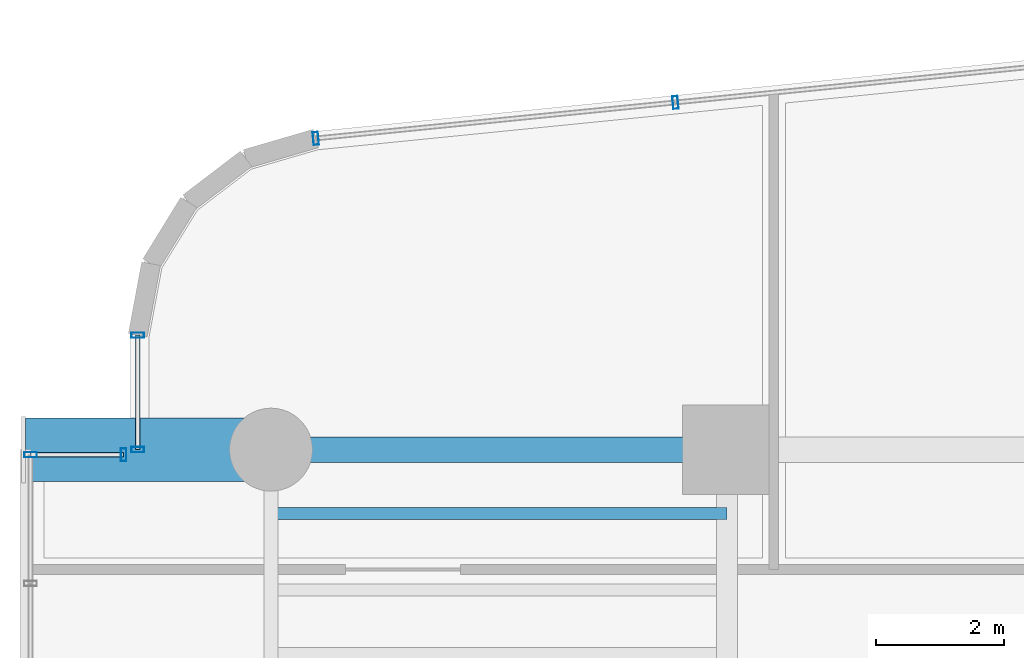
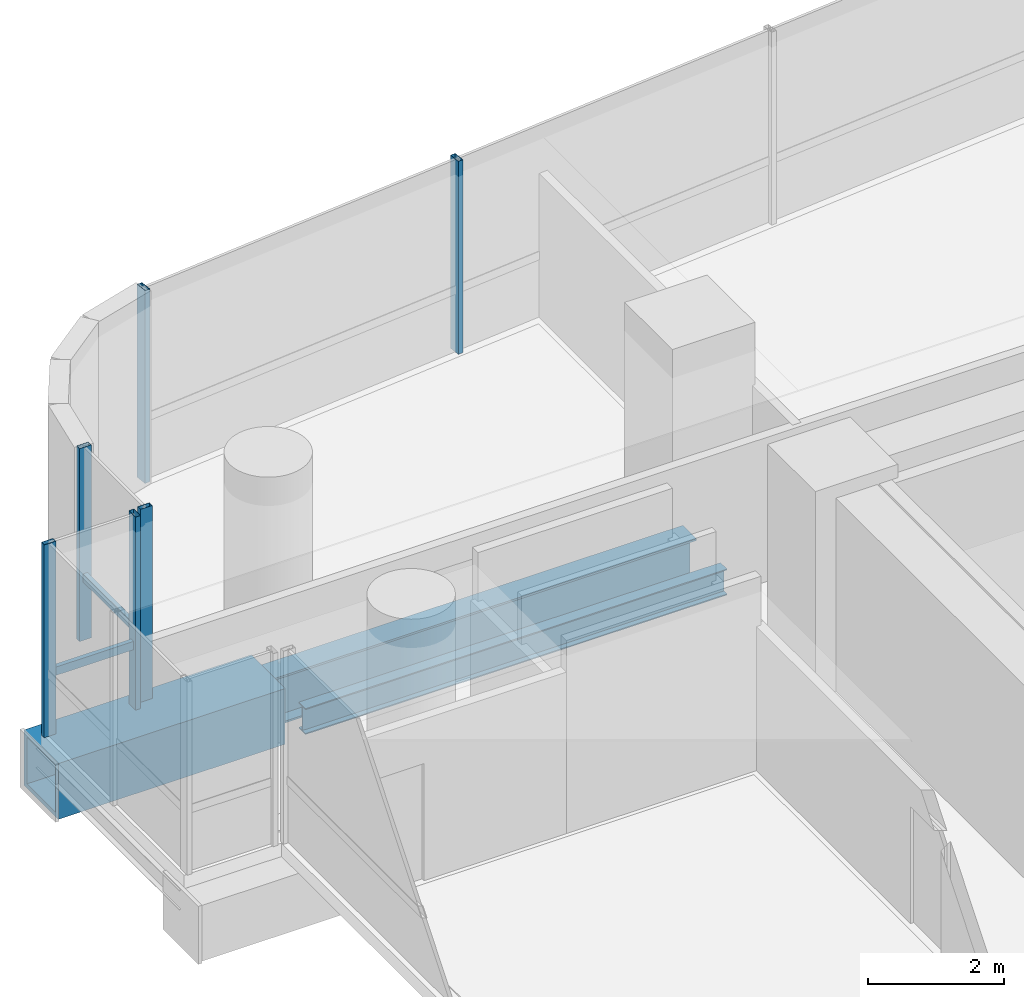
# One storey, part 19 of 40: 8 members, 3 beams, 4 elements without a shape of their own.
"""IFC4 building model written with IfcOpenShell, lengths in metres."""

from ifc_helpers import new_model, si_unit, direction, frame, origin, origin_2d, place, context, subcontext, project, spatial, hollow_rectangle, i_section, extrude, source, transform, mapped, material, material_profile, profile_set, type_object, element, aggregate, save


model = new_model("IFC4")

# Units and contexts
model_context = context("Model", 3, precision=1e-05, world=origin(), true_north=direction((0.0, 1.0)))
body_context = subcontext(model_context, "Body", "Model", "MODEL_VIEW")
ifc_project = project(units=[si_unit("LENGTHUNIT", "METRE"), si_unit("AREAUNIT", "SQUARE_METRE"), si_unit("VOLUMEUNIT", "CUBIC_METRE"), si_unit("PLANEANGLEUNIT", "RADIAN"), si_unit("MASSUNIT", "GRAM", prefix="KILO")], contexts=[model_context])

# Site, building, storey
site_placement = place(None, origin())
site = spatial("IfcSite", under=ifc_project, at=site_placement, CompositionType="ELEMENT")
building_placement = place(site_placement, origin())
building = spatial("IfcBuilding", under=site, at=building_placement, Name="Valdorenza Pilgrim Sanctuary Tower", CompositionType="ELEMENT")
storey_placement = place(building_placement, frame((0.0, 0.0, 48.199951171875)))
storey = spatial("IfcBuildingStorey", under=building, at=storey_placement, Name="L11", CompositionType="ELEMENT", Elevation=48.199951171875)

# Beams
ifc_material_1 = material(Name="Steel ASTM A992 Grade 50", Category="steel")
ifc_material_profile_1 = material_profile(ifc_material_1, i_section(OverallWidth=0.193115234375, OverallDepth=0.466064453125, WebThickness=0.011474609375, FlangeThickness=0.01904296875, at=origin_2d()), Name="W18X65")
ifc_profile_set_1 = profile_set([ifc_material_profile_1], Name="Steel ASTM A992 Grade 50")
beam_type_1 = type_object("IfcBeamType", Name="STR-BM-JST-W18A", PredefinedType="JOIST", material=ifc_profile_set_1)
shared_shape_1 = source(origin(), body_context, "Body", "SweptSolid", [
    extrude(i_section(OverallWidth=0.193115234375, OverallDepth=0.466064453125, WebThickness=0.011474609375, FlangeThickness=0.01904296875, at=origin_2d()), origin(), (0.0, 0.0, 1.0), 7.150146484375),
])
beam_1_placement = place(storey_placement, frame((-29.800048828125, 13.800048828125, -0.472900390625), z_axis=(1.0, 0.0, 0.0), x_axis=(0.0, 1.0, 0.0)))
element("IfcBeam", 1, at=beam_1_placement, inside=storey, type_object=beam_type_1, Name="L11 Composite Floor Joist JST-WA-26", PredefinedType="JOIST", context=body_context, shape_type="MappedRepresentation", body=[
    mapped(shared_shape_1, transform((0.0, 0.0, 0.0), x_axis=(1.0, 0.0, 0.0), y_axis=(0.0, 1.0, 0.0), z_axis=(0.0, 0.0, 1.0), scale=1.0)),
])
ifc_material_2 = material(Name="Steel ASTM A572 Grade 42", Category="steel")
ifc_material_profile_2 = material_profile(ifc_material_2, hollow_rectangle(XDim=1.0, YDim=1.0, WallThickness=0.080078125, at=origin_2d()), Name="BOX 1000x1000x80")
ifc_profile_set_2 = profile_set([ifc_material_profile_2], Name="Steel ASTM A572 Grade 42")
beam_type_2 = type_object("IfcBeamType", Name="STR-BM-PROW-CANT", PredefinedType="BEAM", material=ifc_profile_set_2)
shared_shape_2 = source(origin(), body_context, "Body", "SweptSolid", [
    extrude(hollow_rectangle(XDim=1.0, YDim=1.0, WallThickness=0.080078125, at=origin_2d()), origin(), (0.0, 0.0, 1.0), 3.849853515625),
])
beam_2_placement = place(storey_placement, frame((-29.800048828125, 14.800048828125, -0.739990234375), z_axis=(-1.0, 0.0, 0.0), x_axis=(0.0, -1.0, 0.0)))
element("IfcBeam", 2, at=beam_2_placement, inside=storey, type_object=beam_type_2, Name="L11 Glass Box Cantilever Beam BOX-WA-L11-CT-N", PredefinedType="BEAM", context=body_context, shape_type="MappedRepresentation", body=[
    mapped(shared_shape_2, transform((0.0, 0.0, 0.0), x_axis=(1.0, 0.0, 0.0), y_axis=(0.0, 1.0, 0.0), z_axis=(0.0, 0.0, 1.0), scale=1.0)),
])
ifc_material_profile_3 = material_profile(ifc_material_1, i_section(OverallWidth=0.39990234375, OverallDepth=0.862060546875, WebThickness=0.019775390625, FlangeThickness=0.032470703125, at=origin_2d()), Name="W33X221")
ifc_profile_set_3 = profile_set([ifc_material_profile_3], Name="Steel ASTM A992 Grade 50")
beam_type_3 = type_object("IfcBeamType", Name="STR-BM-GRD-W33", PredefinedType="BEAM", material=ifc_profile_set_3)
shared_shape_3 = source(origin(), body_context, "Body", "SweptSolid", [
    extrude(i_section(OverallWidth=0.39990234375, OverallDepth=0.862060546875, WebThickness=0.019775390625, FlangeThickness=0.032470703125, at=origin_2d()), origin(), (0.0, 0.0, 1.0), 7.150146484375),
])
beam_3_placement = place(storey_placement, frame((-29.800048828125, 14.800048828125, -0.6708984375), z_axis=(1.0, 0.0, 0.0), x_axis=(0.0, 1.0, 0.0)))
element("IfcBeam", 3, at=beam_3_placement, inside=storey, type_object=beam_type_3, Name="L11 Floor Girder WA-XW-N2", PredefinedType="BEAM", context=body_context, shape_type="MappedRepresentation", body=[
    mapped(shared_shape_3, transform((0.0, 0.0, 0.0), x_axis=(1.0, 0.0, 0.0), y_axis=(0.0, 1.0, 0.0), z_axis=(0.0, 0.0, 1.0), scale=1.0)),
])

# Curtain wall, members
ifc_material_3 = material(Name="Curtain-wall IGU glazing", Category="glass")
curtain_wall_type = type_object("IfcCurtainWallType", Name="CW-SYS-02", PredefinedType="NOTDEFINED", material=ifc_material_3)
curtain_wall_1_placement = place(storey_placement, origin())
curtain_wall_1 = element("IfcCurtainWall", 4, at=curtain_wall_1_placement, inside=storey, type_object=curtain_wall_type, Name="L11 Curtain Wall CW-L11-1-1S2", PredefinedType="NOTDEFINED")
ifc_material_4 = material(Name="Anodised aluminium AW-6060", Category="aluminium")
ifc_material_profile_4 = material_profile(ifc_material_4, hollow_rectangle(XDim=0.0849609375, YDim=0.199951171875, WallThickness=0.0048828125, at=origin_2d()), Name="ALU-M 200x85x5")
ifc_profile_set_4 = profile_set([ifc_material_profile_4], Name="Anodised aluminium AW-6060")
member_type_1 = type_object("IfcMemberType", Name="CW-MUL-02", PredefinedType="MULLION", material=ifc_profile_set_4)
shared_shape_4 = source(origin(), body_context, "Body", "SweptSolid", [
    extrude(hollow_rectangle(XDim=0.0849609375, YDim=0.199951171875, WallThickness=0.0048828125, at=origin_2d()), origin(), (0.0, 0.0, 1.0), 3.4599609375),
])
member_1_placement = place(storey_placement, frame((-31.889892578125, 14.800048828125, 0.0), z_axis=(0.0, 0.0, 1.0), x_axis=(0.0, 1.0, 0.0)))
member_1 = element("IfcMember", 5, at=member_1_placement, type_object=member_type_1, Name="CW-L11-1-1S2 Mullion 1", PredefinedType="MULLION", context=body_context, shape_type="MappedRepresentation", body=[
    mapped(shared_shape_4, transform((0.0, 0.0, 0.0), x_axis=(1.0, 0.0, 0.0), y_axis=(0.0, 1.0, 0.0), z_axis=(0.0, 0.0, 1.0), scale=1.0)),
])
member_2_placement = place(storey_placement, frame((-31.889892578125, 16.593994140625, 0.0), z_axis=(0.0, 0.0, 1.0), x_axis=(0.0, 1.0, 0.0)))
member_2 = element("IfcMember", 6, at=member_2_placement, type_object=member_type_1, Name="CW-L11-1-1S2 Mullion 2", PredefinedType="MULLION", context=body_context, shape_type="MappedRepresentation", body=[
    mapped(shared_shape_4, transform((0.0, 0.0, 0.0), x_axis=(1.0, 0.0, 0.0), y_axis=(0.0, 1.0, 0.0), z_axis=(0.0, 0.0, 1.0), scale=1.0)),
])

curtain_wall_2_placement = place(storey_placement, origin())
curtain_wall_2 = element("IfcCurtainWall", 7, at=curtain_wall_2_placement, inside=storey, type_object=curtain_wall_type, Name="L11 Curtain Wall CW-L11-1-6", PredefinedType="NOTDEFINED")
member_3_placement = place(storey_placement, frame((-29.097412109375, 19.6796875, 0.0), z_axis=(0.0, 0.0, 1.0), x_axis=(0.995038220239, 0.099493418189, 0.0)))
member_3 = element("IfcMember", 8, at=member_3_placement, type_object=member_type_1, Name="CW-L11-1-6 Mullion 1", PredefinedType="MULLION", context=body_context, shape_type="MappedRepresentation", body=[
    mapped(shared_shape_4, transform((0.0, 0.0, 0.0), x_axis=(1.0, 0.0, 0.0), y_axis=(0.0, 1.0, 0.0), z_axis=(0.0, 0.0, 1.0), scale=1.0)),
])
member_4_placement = place(storey_placement, frame((-23.458984375, 20.24365234375, 0.0), z_axis=(0.0, 0.0, 1.0), x_axis=(0.995038220239, 0.099493418189, 0.0)))
member_4 = element("IfcMember", 9, at=member_4_placement, type_object=member_type_1, Name="CW-L11-1-6 Mullion 2", PredefinedType="MULLION", context=body_context, shape_type="MappedRepresentation", body=[
    mapped(shared_shape_4, transform((0.0, 0.0, 0.0), x_axis=(1.0, 0.0, 0.0), y_axis=(0.0, 1.0, 0.0), z_axis=(0.0, 0.0, 1.0), scale=1.0)),
])
aggregate(curtain_wall_2, [member_3, member_4])

# Curtain wall, member
curtain_wall_3_placement = place(storey_placement, origin())
curtain_wall_3 = element("IfcCurtainWall", 10, at=curtain_wall_3_placement, inside=storey, type_object=curtain_wall_type, Name="L11 Curtain Wall CW-L11-BOX-WA-L11-F", PredefinedType="NOTDEFINED")
member_5_placement = place(storey_placement, frame((-33.570068359375, 14.719970703125, 0.0), z_axis=(0.0, 0.0, 1.0), x_axis=(0.0, 1.0, 0.0)))
member_5 = element("IfcMember", 11, at=member_5_placement, type_object=member_type_1, Name="CW-L11-BOX-WA-L11-F Mullion 3", PredefinedType="MULLION", context=body_context, shape_type="MappedRepresentation", body=[
    mapped(shared_shape_4, transform((0.0, 0.0, 0.0), x_axis=(1.0, 0.0, 0.0), y_axis=(0.0, 1.0, 0.0), z_axis=(0.0, 0.0, 1.0), scale=1.0)),
])
aggregate(curtain_wall_3, [member_5])

# Curtain wall, members
curtain_wall_4_placement = place(storey_placement, origin())
curtain_wall_4 = element("IfcCurtainWall", 12, at=curtain_wall_4_placement, inside=storey, type_object=curtain_wall_type, Name="L11 Curtain Wall CW-L11-BOX-WA-L11-N", PredefinedType="NOTDEFINED")
member_6_placement = place(storey_placement, frame((-32.110107421875, 14.719970703125, 0.0), z_axis=(0.0, 0.0, 1.0), x_axis=(1.0, 0.0, 0.0)))
member_6 = element("IfcMember", 13, at=member_6_placement, type_object=member_type_1, Name="CW-L11-BOX-WA-L11-N Mullion 2", PredefinedType="MULLION", context=body_context, shape_type="MappedRepresentation", body=[
    mapped(shared_shape_4, transform((0.0, 0.0, 0.0), x_axis=(1.0, 0.0, 0.0), y_axis=(0.0, 1.0, 0.0), z_axis=(0.0, 0.0, 1.0), scale=1.0)),
])
ifc_material_profile_5 = material_profile(ifc_material_4, hollow_rectangle(XDim=0.074951171875, YDim=0.14990234375, WallThickness=0.00390625, at=origin_2d()), Name="ALU-T 150x75x4")
ifc_profile_set_5 = profile_set([ifc_material_profile_5], Name="Anodised aluminium AW-6060")
member_type_2 = type_object("IfcMemberType", Name="CW-TRN-02", PredefinedType="USERDEFINED", material=ifc_profile_set_5)
shared_shape_5 = source(origin(), body_context, "Body", "SweptSolid", [
    extrude(hollow_rectangle(XDim=0.074951171875, YDim=0.14990234375, WallThickness=0.00390625, at=origin_2d()), origin(), (0.0, 0.0, 1.0), 1.4599609375),
])
member_7_placement = place(storey_placement, frame((-33.570068359375, 14.719970703125, 1.1201171875), z_axis=(1.0, 0.0, 0.0), x_axis=(0.0, 1.0, 0.0)))
member_7 = element("IfcMember", 14, at=member_7_placement, type_object=member_type_2, Name="CW-L11-BOX-WA-L11-N Transom 1", ObjectType="TRANSOM", PredefinedType="USERDEFINED", context=body_context, shape_type="MappedRepresentation", body=[
    mapped(shared_shape_5, transform((0.0, 0.0, 0.0), x_axis=(1.0, 0.0, 0.0), y_axis=(0.0, 1.0, 0.0), z_axis=(0.0, 0.0, 1.0), scale=1.0)),
])
aggregate(curtain_wall_4, [member_6, member_7])

# Member
shared_shape_6 = source(origin(), body_context, "Body", "SweptSolid", [
    extrude(hollow_rectangle(XDim=0.074951171875, YDim=0.14990234375, WallThickness=0.00390625, at=origin_2d()), origin(), (0.0, 0.0, 1.0), 1.7939453125),
])
member_8_placement = place(storey_placement, frame((-31.889892578125, 14.800048828125, 1.1201171875), z_axis=(0.0, 1.0, 0.0), x_axis=(-1.0, 0.0, 0.0)))
member_8 = element("IfcMember", 15, at=member_8_placement, type_object=member_type_2, Name="CW-L11-1-1S2 Transom 1", ObjectType="TRANSOM", PredefinedType="USERDEFINED", context=body_context, shape_type="MappedRepresentation", body=[
    mapped(shared_shape_6, transform((0.0, 0.0, 0.0), x_axis=(1.0, 0.0, 0.0), y_axis=(0.0, 1.0, 0.0), z_axis=(0.0, 0.0, 1.0), scale=1.0)),
])

aggregate(curtain_wall_1, [member_1, member_2, member_8])

save(model, "model.ifc")
